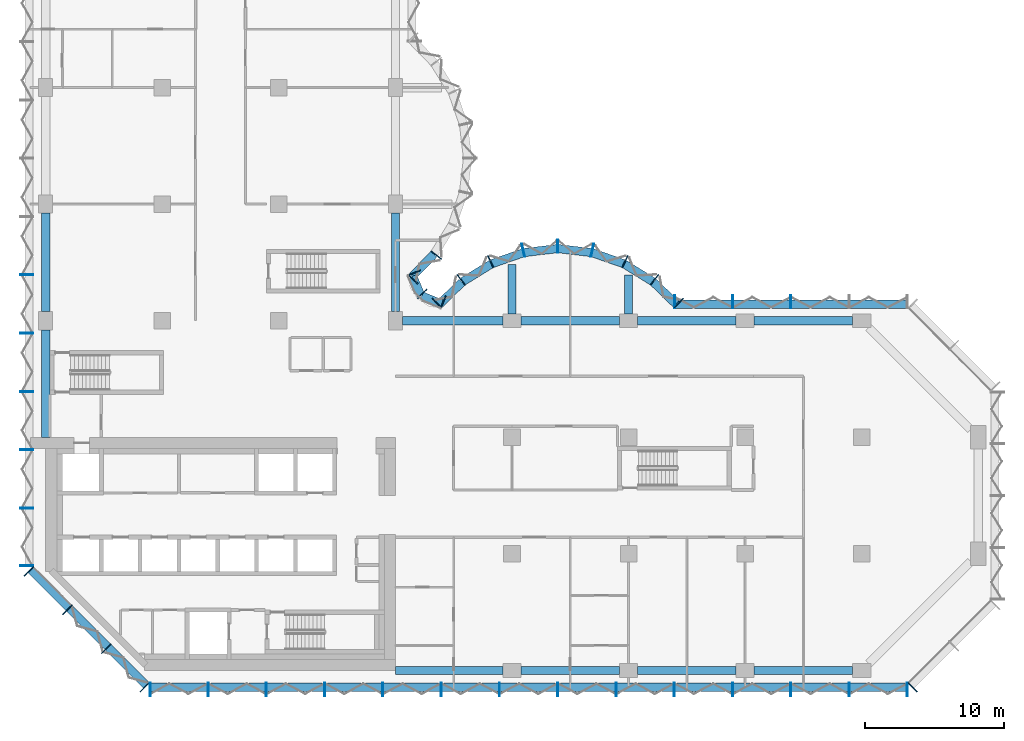
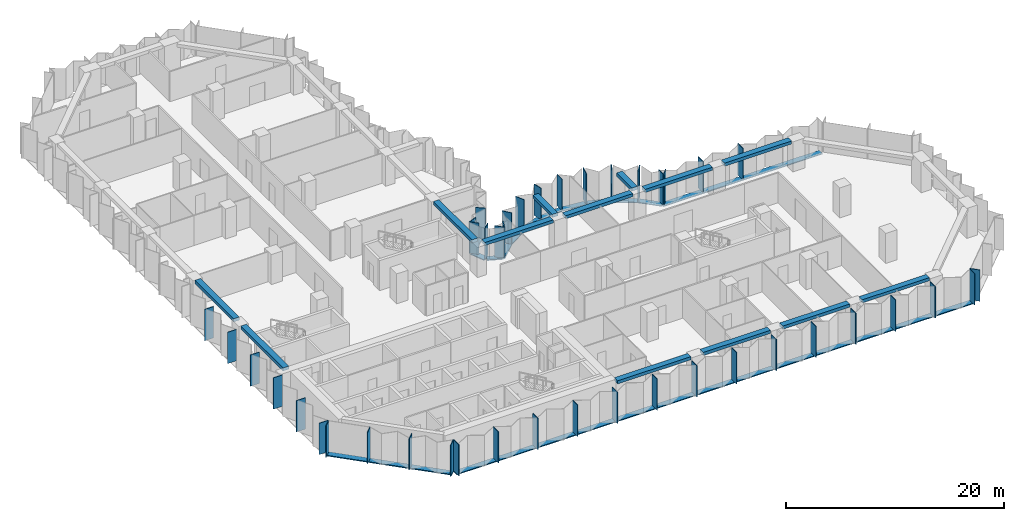
# One storey, part 2 of 13: 56 members, 13 beams, 8 elements without a shape of their own.
"""IFC4 building model written with IfcOpenShell, lengths in metres."""

from ifc_helpers import new_model, si_unit, direction, frame, origin, origin_2d, place, context, subcontext, project, spatial, rectangle, extrude, material, material_profile, profile_set, type_object, element, aggregate, save


model = new_model("IFC4")

# Units and contexts
model_context = context("Model", 3, precision=1e-05, world=origin(), true_north=direction((0.0, 1.0)))
body_context = subcontext(model_context, "Body", "Model", "MODEL_VIEW")
ifc_project = project(units=[si_unit("LENGTHUNIT", "METRE"), si_unit("AREAUNIT", "SQUARE_METRE"), si_unit("VOLUMEUNIT", "CUBIC_METRE"), si_unit("PLANEANGLEUNIT", "RADIAN"), si_unit("MASSUNIT", "GRAM", prefix="KILO")], contexts=[model_context])

# Site, building, storey
site_placement = place(None, origin())
site = spatial("IfcSite", under=ifc_project, at=site_placement, CompositionType="ELEMENT")
building_placement = place(site_placement, origin())
building = spatial("IfcBuilding", under=site, at=building_placement, Name="Brevane Broadcast Tower", CompositionType="ELEMENT")
storey_placement = place(building_placement, frame((0.0, 0.0, 102.5)))
storey = spatial("IfcBuildingStorey", under=building, at=storey_placement, Name="L24", CompositionType="ELEMENT", Elevation=102.5)

# Curtain wall, members
ifc_material_1 = material(Name="Aluminium 6063-T6 bronze anodised", Category="aluminium")
curtain_wall_type = type_object("IfcCurtainWallType", Name="CW-1 curtain wall", PredefinedType="NOTDEFINED", material=ifc_material_1)
curtain_wall_1_placement = place(storey_placement, origin())
curtain_wall_1 = element("IfcCurtainWall", 1, at=curtain_wall_1_placement, inside=storey, type_object=curtain_wall_type, Name="CW-1 typical tilted unit L24 south face", PredefinedType="NOTDEFINED")
ifc_material_profile_1 = material_profile(ifc_material_1, rectangle(XDim=0.949951171875, YDim=0.070068359375, at=origin_2d()), Name="RECT 70x950")
ifc_profile_set_1 = profile_set([ifc_material_profile_1], Name="Aluminium 6063-T6 bronze anodised")
member_type_1 = type_object("IfcMemberType", Name="CW-1 mullion 70x950", PredefinedType="MULLION", material=ifc_profile_set_1)
member_1_placement = place(storey_placement, frame((7.534912109375, -1.375, -0.14990234375), z_axis=(0.0, 0.0, 1.0), x_axis=(0.0, 1.0, 0.0)))
member_1 = element("IfcMember", 2, at=member_1_placement, type_object=member_type_1, Name="CW-1 mullion", PredefinedType="MULLION", context=body_context, shape_type="SweptSolid", body=[
    extrude(rectangle(XDim=0.949951171875, YDim=0.070068359375, at=origin_2d()), origin(), (0.0, 0.0, 1.0), 3.5),
])
member_2_placement = place(storey_placement, frame((11.699951171875, -1.375, -0.14990234375), z_axis=(0.0, 0.0, 1.0), x_axis=(0.0, 1.0, 0.0)))
member_2 = element("IfcMember", 3, at=member_2_placement, type_object=member_type_1, Name="CW-1 mullion", PredefinedType="MULLION", context=body_context, shape_type="SweptSolid", body=[
    extrude(rectangle(XDim=0.949951171875, YDim=0.070068359375, at=origin_2d()), origin(), (0.0, 0.0, 1.0), 3.5),
])
member_3_placement = place(storey_placement, frame((15.89990234375, -1.375, -0.14990234375), z_axis=(0.0, 0.0, 1.0), x_axis=(0.0, 1.0, 0.0)))
member_3 = element("IfcMember", 4, at=member_3_placement, type_object=member_type_1, Name="CW-1 mullion", PredefinedType="MULLION", context=body_context, shape_type="SweptSolid", body=[
    extrude(rectangle(XDim=0.949951171875, YDim=0.070068359375, at=origin_2d()), origin(), (0.0, 0.0, 1.0), 3.5),
])
member_4_placement = place(storey_placement, frame((20.10009765625, -1.375, -0.14990234375), z_axis=(0.0, 0.0, 1.0), x_axis=(0.0, 1.0, 0.0)))
member_4 = element("IfcMember", 5, at=member_4_placement, type_object=member_type_1, Name="CW-1 mullion", PredefinedType="MULLION", context=body_context, shape_type="SweptSolid", body=[
    extrude(rectangle(XDim=0.949951171875, YDim=0.070068359375, at=origin_2d()), origin(), (0.0, 0.0, 1.0), 3.5),
])
member_5_placement = place(storey_placement, frame((24.300048828125, -1.375, -0.14990234375), z_axis=(0.0, 0.0, 1.0), x_axis=(0.0, 1.0, 0.0)))
member_5 = element("IfcMember", 6, at=member_5_placement, type_object=member_type_1, Name="CW-1 mullion", PredefinedType="MULLION", context=body_context, shape_type="SweptSolid", body=[
    extrude(rectangle(XDim=0.949951171875, YDim=0.070068359375, at=origin_2d()), origin(), (0.0, 0.0, 1.0), 3.5),
])
member_6_placement = place(storey_placement, frame((28.5, -1.375, -0.14990234375), z_axis=(0.0, 0.0, 1.0), x_axis=(0.0, 1.0, 0.0)))
member_6 = element("IfcMember", 7, at=member_6_placement, type_object=member_type_1, Name="CW-1 mullion", PredefinedType="MULLION", context=body_context, shape_type="SweptSolid", body=[
    extrude(rectangle(XDim=0.949951171875, YDim=0.070068359375, at=origin_2d()), origin(), (0.0, 0.0, 1.0), 3.5),
])
member_7_placement = place(storey_placement, frame((32.699951171875, -1.375, -0.14990234375), z_axis=(0.0, 0.0, 1.0), x_axis=(0.0, 1.0, 0.0)))
member_7 = element("IfcMember", 8, at=member_7_placement, type_object=member_type_1, Name="CW-1 mullion", PredefinedType="MULLION", context=body_context, shape_type="SweptSolid", body=[
    extrude(rectangle(XDim=0.949951171875, YDim=0.070068359375, at=origin_2d()), origin(), (0.0, 0.0, 1.0), 3.5),
])
member_8_placement = place(storey_placement, frame((36.89990234375, -1.375, -0.14990234375), z_axis=(0.0, 0.0, 1.0), x_axis=(0.0, 1.0, 0.0)))
member_8 = element("IfcMember", 9, at=member_8_placement, type_object=member_type_1, Name="CW-1 mullion", PredefinedType="MULLION", context=body_context, shape_type="SweptSolid", body=[
    extrude(rectangle(XDim=0.949951171875, YDim=0.070068359375, at=origin_2d()), origin(), (0.0, 0.0, 1.0), 3.5),
])
member_9_placement = place(storey_placement, frame((41.10009765625, -1.375, -0.14990234375), z_axis=(0.0, 0.0, 1.0), x_axis=(0.0, 1.0, 0.0)))
member_9 = element("IfcMember", 10, at=member_9_placement, type_object=member_type_1, Name="CW-1 mullion", PredefinedType="MULLION", context=body_context, shape_type="SweptSolid", body=[
    extrude(rectangle(XDim=0.949951171875, YDim=0.070068359375, at=origin_2d()), origin(), (0.0, 0.0, 1.0), 3.5),
])
member_10_placement = place(storey_placement, frame((45.300048828125, -1.375, -0.14990234375), z_axis=(0.0, 0.0, 1.0), x_axis=(0.0, 1.0, 0.0)))
member_10 = element("IfcMember", 11, at=member_10_placement, type_object=member_type_1, Name="CW-1 mullion", PredefinedType="MULLION", context=body_context, shape_type="SweptSolid", body=[
    extrude(rectangle(XDim=0.949951171875, YDim=0.070068359375, at=origin_2d()), origin(), (0.0, 0.0, 1.0), 3.5),
])
member_11_placement = place(storey_placement, frame((49.5, -1.375, -0.14990234375), z_axis=(0.0, 0.0, 1.0), x_axis=(0.0, 1.0, 0.0)))
member_11 = element("IfcMember", 12, at=member_11_placement, type_object=member_type_1, Name="CW-1 mullion", PredefinedType="MULLION", context=body_context, shape_type="SweptSolid", body=[
    extrude(rectangle(XDim=0.949951171875, YDim=0.070068359375, at=origin_2d()), origin(), (0.0, 0.0, 1.0), 3.5),
])
member_12_placement = place(storey_placement, frame((53.699951171875, -1.375, -0.14990234375), z_axis=(0.0, 0.0, 1.0), x_axis=(0.0, 1.0, 0.0)))
member_12 = element("IfcMember", 13, at=member_12_placement, type_object=member_type_1, Name="CW-1 mullion", PredefinedType="MULLION", context=body_context, shape_type="SweptSolid", body=[
    extrude(rectangle(XDim=0.949951171875, YDim=0.070068359375, at=origin_2d()), origin(), (0.0, 0.0, 1.0), 3.5),
])
member_13_placement = place(storey_placement, frame((57.89990234375, -1.375, -0.14990234375), z_axis=(0.0, 0.0, 1.0), x_axis=(0.0, 1.0, 0.0)))
member_13 = element("IfcMember", 14, at=member_13_placement, type_object=member_type_1, Name="CW-1 mullion", PredefinedType="MULLION", context=body_context, shape_type="SweptSolid", body=[
    extrude(rectangle(XDim=0.949951171875, YDim=0.070068359375, at=origin_2d()), origin(), (0.0, 0.0, 1.0), 3.5),
])
member_14_placement = place(storey_placement, frame((62.06494140625, -1.375, -0.14990234375), z_axis=(0.0, 0.0, 1.0), x_axis=(0.0, 1.0, 0.0)))
member_14 = element("IfcMember", 15, at=member_14_placement, type_object=member_type_1, Name="CW-1 mullion", PredefinedType="MULLION", context=body_context, shape_type="SweptSolid", body=[
    extrude(rectangle(XDim=0.949951171875, YDim=0.070068359375, at=origin_2d()), origin(), (0.0, 0.0, 1.0), 3.5),
])

# Curtain wall, member
curtain_wall_2_placement = place(storey_placement, origin())
curtain_wall_2 = element("IfcCurtainWall", 16, at=curtain_wall_2_placement, inside=storey, type_object=curtain_wall_type, Name="CW-1 typical tilted unit L24 south-east chamfer", PredefinedType="NOTDEFINED")
member_15_placement = place(storey_placement, frame((62.460693359375, -1.211181640625, -0.14990234375), z_axis=(0.0, 0.0, 1.0), x_axis=(-0.707106781187, 0.707106781187, 0.0)))
member_15 = element("IfcMember", 17, at=member_15_placement, type_object=member_type_1, Name="CW-1 mullion", PredefinedType="MULLION", context=body_context, shape_type="SweptSolid", body=[
    extrude(rectangle(XDim=0.949951171875, YDim=0.070068359375, at=origin_2d()), origin(), (0.0, 0.0, 1.0), 3.5),
])
aggregate(curtain_wall_2, [member_15])

# Curtain wall, members
curtain_wall_3_placement = place(storey_placement, origin())
curtain_wall_3 = element("IfcCurtainWall", 18, at=curtain_wall_3_placement, inside=storey, type_object=curtain_wall_type, Name="CW-1 typical tilted unit L24 east arm north face", PredefinedType="NOTDEFINED")
member_16_placement = place(storey_placement, frame((53.699951171875, 26.574951171875, -0.14990234375), z_axis=(0.0, 0.0, 1.0), x_axis=(0.0, -1.0, 0.0)))
member_16 = element("IfcMember", 19, at=member_16_placement, type_object=member_type_1, Name="CW-1 mullion", PredefinedType="MULLION", context=body_context, shape_type="SweptSolid", body=[
    extrude(rectangle(XDim=0.949951171875, YDim=0.070068359375, at=origin_2d()), origin(), (0.0, 0.0, 1.0), 3.5),
])
member_17_placement = place(storey_placement, frame((49.5, 26.574951171875, -0.14990234375), z_axis=(0.0, 0.0, 1.0), x_axis=(0.0, -1.0, 0.0)))
member_17 = element("IfcMember", 20, at=member_17_placement, type_object=member_type_1, Name="CW-1 mullion", PredefinedType="MULLION", context=body_context, shape_type="SweptSolid", body=[
    extrude(rectangle(XDim=0.949951171875, YDim=0.070068359375, at=origin_2d()), origin(), (0.0, 0.0, 1.0), 3.5),
])
member_18_placement = place(storey_placement, frame((45.3349609375, 26.574951171875, -0.14990234375), z_axis=(0.0, 0.0, 1.0), x_axis=(0.0, -1.0, 0.0)))
member_18 = element("IfcMember", 21, at=member_18_placement, type_object=member_type_1, Name="CW-1 mullion", PredefinedType="MULLION", context=body_context, shape_type="SweptSolid", body=[
    extrude(rectangle(XDim=0.949951171875, YDim=0.070068359375, at=origin_2d()), origin(), (0.0, 0.0, 1.0), 3.5),
])

curtain_wall_4_placement = place(storey_placement, origin())
curtain_wall_4 = element("IfcCurtainWall", 22, at=curtain_wall_4_placement, inside=storey, type_object=curtain_wall_type, Name="CW-1 typical tilted unit L24 east bow", PredefinedType="NOTDEFINED")
member_19_placement = place(storey_placement, frame((45.60595703125, 26.465087890625, -0.14990234375), z_axis=(0.0, 0.0, 1.0), x_axis=(-0.696811941702, -0.717253872699, 0.0)))
member_19 = element("IfcMember", 23, at=member_19_placement, type_object=member_type_1, Name="CW-1 mullion", PredefinedType="MULLION", context=body_context, shape_type="SweptSolid", body=[
    extrude(rectangle(XDim=0.949951171875, YDim=0.070068359375, at=origin_2d()), origin(), (0.0, 0.0, 1.0), 3.5),
])
member_20_placement = place(storey_placement, frame((43.8720703125, 28.1455078125, -0.14990234375), z_axis=(0.0, 0.0, 1.0), x_axis=(-0.614769738617, -0.788706642853, 0.0)))
member_20 = element("IfcMember", 24, at=member_20_placement, type_object=member_type_1, Name="CW-1 mullion", PredefinedType="MULLION", context=body_context, shape_type="SweptSolid", body=[
    extrude(rectangle(XDim=0.949951171875, YDim=0.070068359375, at=origin_2d()), origin(), (0.0, 0.0, 1.0), 3.5),
])
member_21_placement = place(storey_placement, frame((41.746826171875, 29.4580078125, -0.14990234375), z_axis=(0.0, 0.0, 1.0), x_axis=(-0.429933601163, -0.902860508933, 0.0)))
member_21 = element("IfcMember", 25, at=member_21_placement, type_object=member_type_1, Name="CW-1 mullion", PredefinedType="MULLION", context=body_context, shape_type="SweptSolid", body=[
    extrude(rectangle(XDim=0.949951171875, YDim=0.070068359375, at=origin_2d()), origin(), (0.0, 0.0, 1.0), 3.5),
])
member_22_placement = place(storey_placement, frame((39.38818359375, 30.28076171875, -0.14990234375), z_axis=(0.0, 0.0, 1.0), x_axis=(-0.224806482215, -0.974403430594, 0.0)))
member_22 = element("IfcMember", 26, at=member_22_placement, type_object=member_type_1, Name="CW-1 mullion", PredefinedType="MULLION", context=body_context, shape_type="SweptSolid", body=[
    extrude(rectangle(XDim=0.949951171875, YDim=0.070068359375, at=origin_2d()), origin(), (0.0, 0.0, 1.0), 3.5),
])
member_23_placement = place(storey_placement, frame((36.89990234375, 30.574951171875, -0.14990234375), z_axis=(0.0, 0.0, 1.0), x_axis=(0.0, -1.0, 0.0)))
member_23 = element("IfcMember", 27, at=member_23_placement, type_object=member_type_1, Name="CW-1 mullion", PredefinedType="MULLION", context=body_context, shape_type="SweptSolid", body=[
    extrude(rectangle(XDim=0.949951171875, YDim=0.070068359375, at=origin_2d()), origin(), (0.0, 0.0, 1.0), 3.5),
])
member_24_placement = place(storey_placement, frame((34.411865234375, 30.28076171875, -0.14990234375), z_axis=(0.0, 0.0, 1.0), x_axis=(0.224806482215, -0.974403430594, 0.0)))
member_24 = element("IfcMember", 28, at=member_24_placement, type_object=member_type_1, Name="CW-1 mullion", PredefinedType="MULLION", context=body_context, shape_type="SweptSolid", body=[
    extrude(rectangle(XDim=0.949951171875, YDim=0.070068359375, at=origin_2d()), origin(), (0.0, 0.0, 1.0), 3.5),
])
member_25_placement = place(storey_placement, frame((32.05322265625, 29.4580078125, -0.14990234375), z_axis=(0.0, 0.0, 1.0), x_axis=(0.429933601163, -0.902860508933, 0.0)))
member_25 = element("IfcMember", 29, at=member_25_placement, type_object=member_type_1, Name="CW-1 mullion", PredefinedType="MULLION", context=body_context, shape_type="SweptSolid", body=[
    extrude(rectangle(XDim=0.949951171875, YDim=0.070068359375, at=origin_2d()), origin(), (0.0, 0.0, 1.0), 3.5),
])
member_26_placement = place(storey_placement, frame((29.927978515625, 28.1455078125, -0.14990234375), z_axis=(0.0, 0.0, 1.0), x_axis=(0.614769738617, -0.788706642853, 0.0)))
member_26 = element("IfcMember", 30, at=member_26_placement, type_object=member_type_1, Name="CW-1 mullion", PredefinedType="MULLION", context=body_context, shape_type="SweptSolid", body=[
    extrude(rectangle(XDim=0.949951171875, YDim=0.070068359375, at=origin_2d()), origin(), (0.0, 0.0, 1.0), 3.5),
])
member_27_placement = place(storey_placement, frame((28.194091796875, 26.465087890625, -0.14990234375), z_axis=(0.0, 0.0, 1.0), x_axis=(0.696811941702, -0.717253872699, 0.0)))
member_27 = element("IfcMember", 31, at=member_27_placement, type_object=member_type_1, Name="CW-1 mullion", PredefinedType="MULLION", context=body_context, shape_type="SweptSolid", body=[
    extrude(rectangle(XDim=0.949951171875, YDim=0.070068359375, at=origin_2d()), origin(), (0.0, 0.0, 1.0), 3.5),
])

curtain_wall_5_placement = place(storey_placement, origin())
curtain_wall_5 = element("IfcCurtainWall", 32, at=curtain_wall_5_placement, inside=storey, type_object=curtain_wall_type, Name="CW-1 typical tilted unit L24 inner corner", PredefinedType="NOTDEFINED")
member_28_placement = place(storey_placement, frame((28.6494140625, 26.55224609375, -0.14990234375), z_axis=(0.0, 0.0, 1.0), x_axis=(-0.382683612978, -0.923879457699, 0.0)))
member_28 = element("IfcMember", 33, at=member_28_placement, type_object=member_type_1, Name="CW-1 mullion", PredefinedType="MULLION", context=body_context, shape_type="SweptSolid", body=[
    extrude(rectangle(XDim=0.949951171875, YDim=0.070068359375, at=origin_2d()), origin(), (0.0, 0.0, 1.0), 3.5),
])
member_29_placement = place(storey_placement, frame((27.138916015625, 27.138916015625, -0.14990234375), z_axis=(0.0, 0.0, 1.0), x_axis=(-0.707106781187, -0.707106781187, 0.0)))
member_29 = element("IfcMember", 34, at=member_29_placement, type_object=member_type_1, Name="CW-1 mullion", PredefinedType="MULLION", context=body_context, shape_type="SweptSolid", body=[
    extrude(rectangle(XDim=0.949951171875, YDim=0.070068359375, at=origin_2d()), origin(), (0.0, 0.0, 1.0), 3.5),
])
member_30_placement = place(storey_placement, frame((26.55224609375, 28.6494140625, -0.14990234375), z_axis=(0.0, 0.0, 1.0), x_axis=(-0.923879457699, -0.382683612978, 0.0)))
member_30 = element("IfcMember", 35, at=member_30_placement, type_object=member_type_1, Name="CW-1 mullion", PredefinedType="MULLION", context=body_context, shape_type="SweptSolid", body=[
    extrude(rectangle(XDim=0.949951171875, YDim=0.070068359375, at=origin_2d()), origin(), (0.0, 0.0, 1.0), 3.5),
])

curtain_wall_6_placement = place(storey_placement, origin())
curtain_wall_6 = element("IfcCurtainWall", 36, at=curtain_wall_6_placement, inside=storey, type_object=curtain_wall_type, Name="CW-1 typical tilted unit L24 north bow", PredefinedType="NOTDEFINED")
member_31_placement = place(storey_placement, frame((26.465087890625, 28.194091796875, -0.14990234375), z_axis=(0.0, 0.0, 1.0), x_axis=(-0.717253872699, 0.696811941702, 0.0)))
member_31 = element("IfcMember", 37, at=member_31_placement, type_object=member_type_1, Name="CW-1 mullion", PredefinedType="MULLION", context=body_context, shape_type="SweptSolid", body=[
    extrude(rectangle(XDim=0.949951171875, YDim=0.070068359375, at=origin_2d()), origin(), (0.0, 0.0, 1.0), 3.5),
])
member_32_placement = place(storey_placement, frame((28.1455078125, 29.927978515625, -0.14990234375), z_axis=(0.0, 0.0, 1.0), x_axis=(-0.788706642853, 0.614769738617, 0.0)))
member_32 = element("IfcMember", 38, at=member_32_placement, type_object=member_type_1, Name="CW-1 mullion", PredefinedType="MULLION", context=body_context, shape_type="SweptSolid", body=[
    extrude(rectangle(XDim=0.949951171875, YDim=0.070068359375, at=origin_2d()), origin(), (0.0, 0.0, 1.0), 3.5),
])

curtain_wall_7_placement = place(storey_placement, origin())
curtain_wall_7 = element("IfcCurtainWall", 39, at=curtain_wall_7_placement, inside=storey, type_object=curtain_wall_type, Name="CW-1 typical tilted unit L24 west face", PredefinedType="NOTDEFINED")
member_33_placement = place(storey_placement, frame((-1.375, 28.5, -0.14990234375), z_axis=(0.0, 0.0, 1.0), x_axis=(1.0, 0.0, 0.0)))
member_33 = element("IfcMember", 40, at=member_33_placement, type_object=member_type_1, Name="CW-1 mullion", PredefinedType="MULLION", context=body_context, shape_type="SweptSolid", body=[
    extrude(rectangle(XDim=0.949951171875, YDim=0.070068359375, at=origin_2d()), origin(), (0.0, 0.0, 1.0), 3.5),
])
member_34_placement = place(storey_placement, frame((-1.375, 24.300048828125, -0.14990234375), z_axis=(0.0, 0.0, 1.0), x_axis=(1.0, 0.0, 0.0)))
member_34 = element("IfcMember", 41, at=member_34_placement, type_object=member_type_1, Name="CW-1 mullion", PredefinedType="MULLION", context=body_context, shape_type="SweptSolid", body=[
    extrude(rectangle(XDim=0.949951171875, YDim=0.070068359375, at=origin_2d()), origin(), (0.0, 0.0, 1.0), 3.5),
])
member_35_placement = place(storey_placement, frame((-1.375, 20.10009765625, -0.14990234375), z_axis=(0.0, 0.0, 1.0), x_axis=(1.0, 0.0, 0.0)))
member_35 = element("IfcMember", 42, at=member_35_placement, type_object=member_type_1, Name="CW-1 mullion", PredefinedType="MULLION", context=body_context, shape_type="SweptSolid", body=[
    extrude(rectangle(XDim=0.949951171875, YDim=0.070068359375, at=origin_2d()), origin(), (0.0, 0.0, 1.0), 3.5),
])
member_36_placement = place(storey_placement, frame((-1.375, 15.89990234375, -0.14990234375), z_axis=(0.0, 0.0, 1.0), x_axis=(1.0, 0.0, 0.0)))
member_36 = element("IfcMember", 43, at=member_36_placement, type_object=member_type_1, Name="CW-1 mullion", PredefinedType="MULLION", context=body_context, shape_type="SweptSolid", body=[
    extrude(rectangle(XDim=0.949951171875, YDim=0.070068359375, at=origin_2d()), origin(), (0.0, 0.0, 1.0), 3.5),
])
member_37_placement = place(storey_placement, frame((-1.375, 11.699951171875, -0.14990234375), z_axis=(0.0, 0.0, 1.0), x_axis=(1.0, 0.0, 0.0)))
member_37 = element("IfcMember", 44, at=member_37_placement, type_object=member_type_1, Name="CW-1 mullion", PredefinedType="MULLION", context=body_context, shape_type="SweptSolid", body=[
    extrude(rectangle(XDim=0.949951171875, YDim=0.070068359375, at=origin_2d()), origin(), (0.0, 0.0, 1.0), 3.5),
])
member_38_placement = place(storey_placement, frame((-1.375, 7.534912109375, -0.14990234375), z_axis=(0.0, 0.0, 1.0), x_axis=(1.0, 0.0, 0.0)))
member_38 = element("IfcMember", 45, at=member_38_placement, type_object=member_type_1, Name="CW-1 mullion", PredefinedType="MULLION", context=body_context, shape_type="SweptSolid", body=[
    extrude(rectangle(XDim=0.949951171875, YDim=0.070068359375, at=origin_2d()), origin(), (0.0, 0.0, 1.0), 3.5),
])
aggregate(curtain_wall_7, [member_33, member_34, member_35, member_36, member_37, member_38])

curtain_wall_8_placement = place(storey_placement, origin())
curtain_wall_8 = element("IfcCurtainWall", 46, at=curtain_wall_8_placement, inside=storey, type_object=curtain_wall_type, Name="CW-1 typical tilted unit L24 south-west chamfer", PredefinedType="NOTDEFINED")
member_39_placement = place(storey_placement, frame((-1.211181640625, 7.139404296875, -0.14990234375), z_axis=(0.0, 0.0, 1.0), x_axis=(0.707106781187, 0.707106781187, 0.0)))
member_39 = element("IfcMember", 47, at=member_39_placement, type_object=member_type_1, Name="CW-1 mullion", PredefinedType="MULLION", context=body_context, shape_type="SweptSolid", body=[
    extrude(rectangle(XDim=0.949951171875, YDim=0.070068359375, at=origin_2d()), origin(), (0.0, 0.0, 1.0), 3.5),
])
member_40_placement = place(storey_placement, frame((1.564208984375, 4.364013671875, -0.14990234375), z_axis=(0.0, 0.0, 1.0), x_axis=(0.707106781187, 0.707106781187, 0.0)))
member_40 = element("IfcMember", 48, at=member_40_placement, type_object=member_type_1, Name="CW-1 mullion", PredefinedType="MULLION", context=body_context, shape_type="SweptSolid", body=[
    extrude(rectangle(XDim=0.949951171875, YDim=0.070068359375, at=origin_2d()), origin(), (0.0, 0.0, 1.0), 3.5),
])
member_41_placement = place(storey_placement, frame((4.364013671875, 1.564208984375, -0.14990234375), z_axis=(0.0, 0.0, 1.0), x_axis=(0.707106781187, 0.707106781187, 0.0)))
member_41 = element("IfcMember", 49, at=member_41_placement, type_object=member_type_1, Name="CW-1 mullion", PredefinedType="MULLION", context=body_context, shape_type="SweptSolid", body=[
    extrude(rectangle(XDim=0.949951171875, YDim=0.070068359375, at=origin_2d()), origin(), (0.0, 0.0, 1.0), 3.5),
])
member_42_placement = place(storey_placement, frame((7.139404296875, -1.211181640625, -0.14990234375), z_axis=(0.0, 0.0, 1.0), x_axis=(0.707106781187, 0.707106781187, 0.0)))
member_42 = element("IfcMember", 50, at=member_42_placement, type_object=member_type_1, Name="CW-1 mullion", PredefinedType="MULLION", context=body_context, shape_type="SweptSolid", body=[
    extrude(rectangle(XDim=0.949951171875, YDim=0.070068359375, at=origin_2d()), origin(), (0.0, 0.0, 1.0), 3.5),
])

# Member
ifc_material_profile_2 = material_profile(ifc_material_1, rectangle(XDim=0.60009765625, YDim=0.10009765625, at=origin_2d()), Name="RECT 100x600")
ifc_profile_set_2 = profile_set([ifc_material_profile_2], Name="Aluminium 6063-T6 bronze anodised")
member_type_2 = type_object("IfcMemberType", Name="CW-1 transom 100x600", PredefinedType="USERDEFINED", material=ifc_profile_set_2)
member_43_placement = place(storey_placement, frame((7.5, -1.199951171875, -0.199951171875), z_axis=(1.0, 0.0, 0.0), x_axis=(0.0, 1.0, 0.0)))
member_43 = element("IfcMember", 51, at=member_43_placement, type_object=member_type_2, Name="CW-1 transom", ObjectType="TRANSOM", PredefinedType="USERDEFINED", context=body_context, shape_type="SweptSolid", body=[
    extrude(rectangle(XDim=0.60009765625, YDim=0.10009765625, at=origin_2d()), origin(), (0.0, 0.0, 1.0), 54.60009765625),
])

aggregate(curtain_wall_1, [member_1, member_2, member_3, member_4, member_5, member_6, member_7, member_8, member_9, member_10, member_11, member_12, member_13, member_14, member_43])

member_44_placement = place(storey_placement, frame((62.10009765625, 26.39990234375, -0.199951171875), z_axis=(-1.0, 0.0, 0.0), x_axis=(0.0, -1.0, 0.0)))
member_44 = element("IfcMember", 52, at=member_44_placement, type_object=member_type_2, Name="CW-1 transom", ObjectType="TRANSOM", PredefinedType="USERDEFINED", context=body_context, shape_type="SweptSolid", body=[
    extrude(rectangle(XDim=0.60009765625, YDim=0.10009765625, at=origin_2d()), origin(), (0.0, 0.0, 1.0), 16.800048828125),
])

aggregate(curtain_wall_3, [member_16, member_17, member_18, member_44])

member_45_placement = place(storey_placement, frame((45.412841796875, 26.407958984375, -0.199951171875), z_axis=(-0.71724215871, 0.696823999134, 0.0), x_axis=(-0.696823999134, -0.71724215871, 0.0)))
member_45 = element("IfcMember", 53, at=member_45_placement, type_object=member_type_2, Name="CW-1 transom", ObjectType="TRANSOM", PredefinedType="USERDEFINED", context=body_context, shape_type="SweptSolid", body=[
    extrude(rectangle(XDim=0.60009765625, YDim=0.10009765625, at=origin_2d()), origin(), (0.0, 0.0, 1.0), 2.247802734375),
])

member_46_placement = place(storey_placement, frame((43.7421875, 28.023193359375, -0.199951171875), z_axis=(-0.850810063131, 0.525473345162, 0.0), x_axis=(-0.525473345162, -0.850810063131, 0.0)))
member_46 = element("IfcMember", 54, at=member_46_placement, type_object=member_type_2, Name="CW-1 transom", ObjectType="TRANSOM", PredefinedType="USERDEFINED", context=body_context, shape_type="SweptSolid", body=[
    extrude(rectangle(XDim=0.60009765625, YDim=0.10009765625, at=origin_2d()), origin(), (0.0, 0.0, 1.0), 2.39453125),
])

member_47_placement = place(storey_placement, frame((41.63623046875, 29.314208984375, -0.199951171875), z_axis=(-0.944197969542, 0.329378497041, 0.0), x_axis=(-0.329378497041, -0.944197969542, 0.0)))
member_47 = element("IfcMember", 55, at=member_47_placement, type_object=member_type_2, Name="CW-1 transom", ObjectType="TRANSOM", PredefinedType="USERDEFINED", context=body_context, shape_type="SweptSolid", body=[
    extrude(rectangle(XDim=0.60009765625, YDim=0.10009765625, at=origin_2d()), origin(), (0.0, 0.0, 1.0), 2.394775390625),
])

member_48_placement = place(storey_placement, frame((39.30029296875, 30.117431640625, -0.199951171875), z_axis=(-0.993062061831, 0.117591417, 0.0), x_axis=(-0.117591417, -0.993062061831, 0.0)))
member_48 = element("IfcMember", 56, at=member_48_placement, type_object=member_type_2, Name="CW-1 transom", ObjectType="TRANSOM", PredefinedType="USERDEFINED", context=body_context, shape_type="SweptSolid", body=[
    extrude(rectangle(XDim=0.60009765625, YDim=0.10009765625, at=origin_2d()), origin(), (0.0, 0.0, 1.0), 2.39794921875),
])

member_49_placement = place(storey_placement, frame((36.880859375, 30.3994140625, -0.199951171875), z_axis=(-0.993060653805, -0.117603307202, 0.0), x_axis=(0.117603307202, -0.993060653805, 0.0)))
member_49 = element("IfcMember", 57, at=member_49_placement, type_object=member_type_2, Name="CW-1 transom", ObjectType="TRANSOM", PredefinedType="USERDEFINED", context=body_context, shape_type="SweptSolid", body=[
    extrude(rectangle(XDim=0.60009765625, YDim=0.10009765625, at=origin_2d()), origin(), (0.0, 0.0, 1.0), 2.397705078125),
])

member_50_placement = place(storey_placement, frame((34.425048828125, 30.10302734375, -0.199951171875), z_axis=(-0.944197969542, -0.329378497041, 0.0), x_axis=(0.329378497041, -0.944197969542, 0.0)))
member_50 = element("IfcMember", 58, at=member_50_placement, type_object=member_type_2, Name="CW-1 transom", ObjectType="TRANSOM", PredefinedType="USERDEFINED", context=body_context, shape_type="SweptSolid", body=[
    extrude(rectangle(XDim=0.60009765625, YDim=0.10009765625, at=origin_2d()), origin(), (0.0, 0.0, 1.0), 2.394775390625),
])

member_51_placement = place(storey_placement, frame((32.09521484375, 29.281494140625, -0.199951171875), z_axis=(-0.850838211365, -0.525427766759, 0.0), x_axis=(0.525427766759, -0.850838211365, 0.0)))
member_51 = element("IfcMember", 59, at=member_51_placement, type_object=member_type_2, Name="CW-1 transom", ObjectType="TRANSOM", PredefinedType="USERDEFINED", context=body_context, shape_type="SweptSolid", body=[
    extrude(rectangle(XDim=0.60009765625, YDim=0.10009765625, at=origin_2d()), origin(), (0.0, 0.0, 1.0), 2.394775390625),
])

member_52_placement = place(storey_placement, frame((29.99951171875, 27.974365234375, -0.199951171875), z_axis=(-0.71724215871, -0.696823999134, 0.0), x_axis=(0.696823999134, -0.71724215871, 0.0)))
member_52 = element("IfcMember", 60, at=member_52_placement, type_object=member_type_2, Name="CW-1 transom", ObjectType="TRANSOM", PredefinedType="USERDEFINED", context=body_context, shape_type="SweptSolid", body=[
    extrude(rectangle(XDim=0.60009765625, YDim=0.10009765625, at=origin_2d()), origin(), (0.0, 0.0, 1.0), 2.247802734375),
])

aggregate(curtain_wall_4, [member_19, member_20, member_21, member_22, member_23, member_24, member_25, member_26, member_27, member_45, member_46, member_47, member_48, member_49, member_50, member_51, member_52])

member_53_placement = place(storey_placement, frame((28.528076171875, 26.40673828125, -0.199951171875), z_axis=(-0.923883243627, 0.382674472816, 0.0), x_axis=(-0.382674472816, -0.923883243627, 0.0)))
member_53 = element("IfcMember", 61, at=member_53_placement, type_object=member_type_2, Name="CW-1 transom", ObjectType="TRANSOM", PredefinedType="USERDEFINED", context=body_context, shape_type="SweptSolid", body=[
    extrude(rectangle(XDim=0.60009765625, YDim=0.10009765625, at=origin_2d()), origin(), (0.0, 0.0, 1.0), 1.536865234375),
])

member_54_placement = place(storey_placement, frame((27.039794921875, 27.0, -0.199951171875), z_axis=(-0.382674472816, 0.923883243627, 0.0), x_axis=(-0.923883243627, -0.382674472816, 0.0)))
member_54 = element("IfcMember", 62, at=member_54_placement, type_object=member_type_2, Name="CW-1 transom", ObjectType="TRANSOM", PredefinedType="USERDEFINED", context=body_context, shape_type="SweptSolid", body=[
    extrude(rectangle(XDim=0.60009765625, YDim=0.10009765625, at=origin_2d()), origin(), (0.0, 0.0, 1.0), 1.536865234375),
])

aggregate(curtain_wall_5, [member_28, member_29, member_30, member_53, member_54])

member_55_placement = place(storey_placement, frame((26.407958984375, 28.38720703125, -0.199951171875), z_axis=(0.696823999134, 0.71724215871, 0.0), x_axis=(-0.71724215871, 0.696823999134, 0.0)))
member_55 = element("IfcMember", 63, at=member_55_placement, type_object=member_type_2, Name="CW-1 transom", ObjectType="TRANSOM", PredefinedType="USERDEFINED", context=body_context, shape_type="SweptSolid", body=[
    extrude(rectangle(XDim=0.60009765625, YDim=0.10009765625, at=origin_2d()), origin(), (0.0, 0.0, 1.0), 2.247802734375),
])

aggregate(curtain_wall_6, [member_31, member_32, member_55])

member_56_placement = place(storey_placement, frame((-1.112060546875, 7.287841796875, -0.199951171875), z_axis=(0.707106781187, -0.707106781187, 0.0), x_axis=(0.707106781187, 0.707106781187, 0.0)))
member_56 = element("IfcMember", 64, at=member_56_placement, type_object=member_type_2, Name="CW-1 transom", ObjectType="TRANSOM", PredefinedType="USERDEFINED", context=body_context, shape_type="SweptSolid", body=[
    extrude(rectangle(XDim=0.60009765625, YDim=0.10009765625, at=origin_2d()), origin(), (0.0, 0.0, 1.0), 11.879150390625),
])

aggregate(curtain_wall_8, [member_39, member_40, member_41, member_42, member_56])

# Beams
ifc_material_2 = material(Name="Concrete C40/50", Category="concrete")
ifc_material_profile_3 = material_profile(ifc_material_2, rectangle(XDim=0.60009765625, YDim=0.35009765625, at=origin_2d()), Name="RC 600x350")
ifc_profile_set_3 = profile_set([ifc_material_profile_3], Name="Concrete C40/50")
beam_type_1 = type_object("IfcBeamType", Name="RC BRACKET BEAM 600x350 C40/50", PredefinedType="BEAM", material=ifc_profile_set_3)
beam_1_placement = place(storey_placement, frame((33.60009765625, 25.699951171875, 3.175048828125), z_axis=(0.0, 1.0, 0.0), x_axis=(-1.0, 0.0, 0.0)))
element("IfcBeam", 65, at=beam_1_placement, inside=storey, type_object=beam_type_1, Name="EB2 L24-3", PredefinedType="BEAM", context=body_context, shape_type="SweptSolid", body=[
    extrude(rectangle(XDim=0.60009765625, YDim=0.35009765625, at=origin_2d()), origin(), (0.0, 0.0, 1.0), 3.56201171875),
])
beam_2_placement = place(storey_placement, frame((42.0, 25.699951171875, 3.175048828125), z_axis=(0.0, 1.0, 0.0), x_axis=(-1.0, 0.0, 0.0)))
element("IfcBeam", 66, at=beam_2_placement, inside=storey, type_object=beam_type_1, Name="EB2 L24-4", PredefinedType="BEAM", context=body_context, shape_type="SweptSolid", body=[
    extrude(rectangle(XDim=0.60009765625, YDim=0.35009765625, at=origin_2d()), origin(), (0.0, 0.0, 1.0), 2.8115234375),
])
ifc_material_profile_4 = material_profile(ifc_material_2, rectangle(XDim=0.60009765625, YDim=0.35009765625, at=origin_2d()), Name="RC 600x350")
ifc_profile_set_4 = profile_set([ifc_material_profile_4], Name="Concrete C40/50")
beam_type_2 = type_object("IfcBeamType", Name="RC SPANDREL BEAM 600x350 C40/50", PredefinedType="SPANDREL", material=ifc_profile_set_4)
beam_3_placement = place(storey_placement, frame((25.199951171875, 0.0, 3.175048828125), z_axis=(1.0, 0.0, 0.0), x_axis=(0.0, 1.0, 0.0)))
element("IfcBeam", 67, at=beam_3_placement, inside=storey, type_object=beam_type_2, Name="EB1 L24-1", PredefinedType="SPANDREL", context=body_context, shape_type="SweptSolid", body=[
    extrude(rectangle(XDim=0.60009765625, YDim=0.35009765625, at=origin_2d()), origin(), (0.0, 0.0, 1.0), 7.75),
])
for number, where, z_axis, x_axis, name in (
    (68, (34.25, 0.0, 3.175048828125), (1.0, 0.0, 0.0), (0.0, 1.0, 0.0), "EB1 L24-2"),
    (69, (42.64990234375, 0.0, 3.175048828125), (1.0, 0.0, 0.0), (0.0, 1.0, 0.0), "EB1 L24-3"),
):
    element("IfcBeam", number, at=place(storey_placement, frame(where, z_axis=z_axis, x_axis=x_axis)), inside=storey, type_object=beam_type_2, Name=name, PredefinedType="SPANDREL", context=body_context, shape_type="SweptSolid", body=[
        extrude(rectangle(XDim=0.60009765625, YDim=0.35009765625, at=origin_2d()), origin(), (0.0, 0.0, 1.0), 7.10009765625),
    ])
for number, where, z_axis, x_axis, name in (
    (70, (51.050048828125, 0.0, 3.175048828125), (1.0, 0.0, 0.0), (0.0, 1.0, 0.0), "EB1 L24-4"),
    (71, (58.14990234375, 25.199951171875, 3.175048828125), (-1.0, 0.0, 0.0), (0.0, -1.0, 0.0), "EB1 L24-8"),
):
    element("IfcBeam", number, at=place(storey_placement, frame(where, z_axis=z_axis, x_axis=x_axis)), inside=storey, type_object=beam_type_2, Name=name, PredefinedType="SPANDREL", context=body_context, shape_type="SweptSolid", body=[
        extrude(rectangle(XDim=0.60009765625, YDim=0.35009765625, at=origin_2d()), origin(), (0.0, 0.0, 1.0), 7.099853515625),
    ])
for number, where, z_axis, x_axis, name in (
    (72, (49.75, 25.199951171875, 3.175048828125), (-1.0, 0.0, 0.0), (0.0, -1.0, 0.0), "EB1 L24-9"),
    (73, (41.35009765625, 25.199951171875, 3.175048828125), (-1.0, 0.0, 0.0), (0.0, -1.0, 0.0), "EB1 L24-10"),
):
    element("IfcBeam", number, at=place(storey_placement, frame(where, z_axis=z_axis, x_axis=x_axis)), inside=storey, type_object=beam_type_2, Name=name, PredefinedType="SPANDREL", context=body_context, shape_type="SweptSolid", body=[
        extrude(rectangle(XDim=0.60009765625, YDim=0.35009765625, at=origin_2d()), origin(), (0.0, 0.0, 1.0), 7.10009765625),
    ])
beam_4_placement = place(storey_placement, frame((32.949951171875, 25.199951171875, 3.175048828125), z_axis=(-1.0, 0.0, 0.0), x_axis=(0.0, -1.0, 0.0)))
element("IfcBeam", 74, at=beam_4_placement, inside=storey, type_object=beam_type_2, Name="EB1 L24-11", PredefinedType="SPANDREL", context=body_context, shape_type="SweptSolid", body=[
    extrude(rectangle(XDim=0.60009765625, YDim=0.35009765625, at=origin_2d()), origin(), (0.0, 0.0, 1.0), 7.25),
])
for number, where, z_axis, x_axis, name in (
    (75, (25.199951171875, 25.85009765625, 3.175048828125), (0.0, 1.0, 0.0), (-1.0, 0.0, 0.0), "EB1 L24-12"),
    (76, (0.0, 32.949951171875, 3.175048828125), (0.0, -1.0, 0.0), (1.0, 0.0, 0.0), "EB1 L24-22"),
):
    element("IfcBeam", number, at=place(storey_placement, frame(where, z_axis=z_axis, x_axis=x_axis)), inside=storey, type_object=beam_type_2, Name=name, PredefinedType="SPANDREL", context=body_context, shape_type="SweptSolid", body=[
        extrude(rectangle(XDim=0.60009765625, YDim=0.35009765625, at=origin_2d()), origin(), (0.0, 0.0, 1.0), 7.099853515625),
    ])
beam_5_placement = place(storey_placement, frame((0.0, 24.550048828125, 3.175048828125), z_axis=(0.0, -1.0, 0.0), x_axis=(1.0, 0.0, 0.0)))
element("IfcBeam", 77, at=beam_5_placement, inside=storey, type_object=beam_type_2, Name="EB1 L24-23", PredefinedType="SPANDREL", context=body_context, shape_type="SweptSolid", body=[
    extrude(rectangle(XDim=0.60009765625, YDim=0.35009765625, at=origin_2d()), origin(), (0.0, 0.0, 1.0), 7.75),
])

save(model, "model.ifc")
